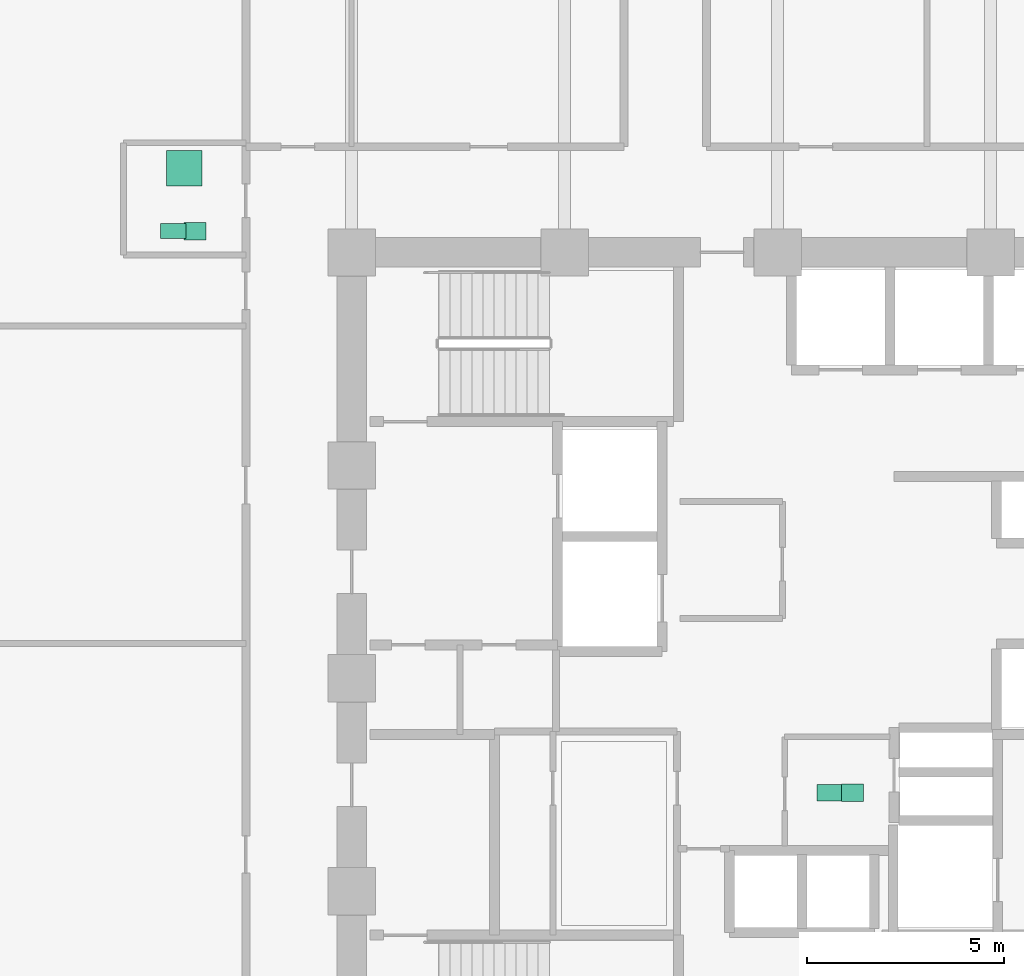
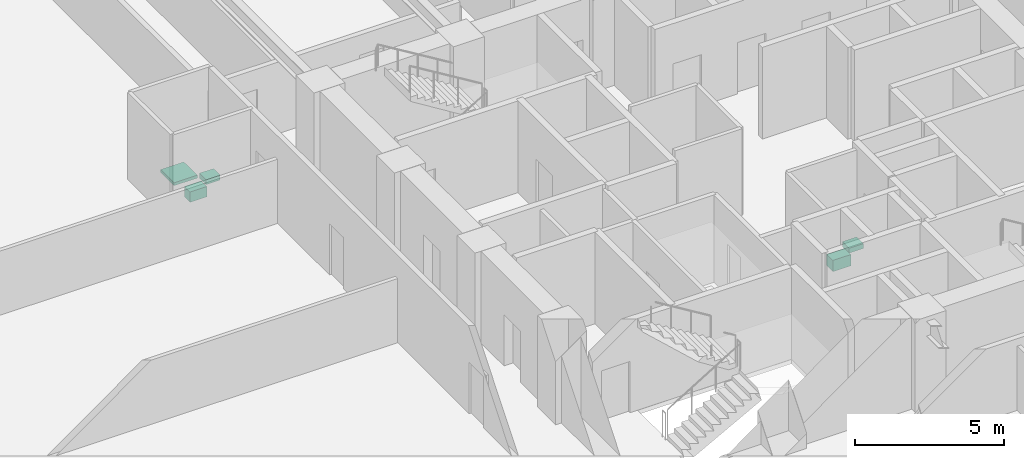
# One storey, part 26 of 26: 5 sanitary terminals.
"""IFC4 building model written with IfcOpenShell, lengths in metres."""

from ifc_helpers import new_model, si_unit, direction, frame, origin, origin_2d, place, context, subcontext, project, spatial, rectangle, extrude, material, type_object, element, save


model = new_model("IFC4")

# Units and contexts
model_context = context("Model", 3, precision=1e-05, world=origin(), true_north=direction((0.0, 1.0)))
body_context = subcontext(model_context, "Body", "Model", "MODEL_VIEW")
ifc_project = project(units=[si_unit("LENGTHUNIT", "METRE"), si_unit("AREAUNIT", "SQUARE_METRE"), si_unit("VOLUMEUNIT", "CUBIC_METRE"), si_unit("PLANEANGLEUNIT", "RADIAN"), si_unit("MASSUNIT", "GRAM", prefix="KILO")], contexts=[model_context])

# Site, building, storey
site_placement = place(None, origin())
site = spatial("IfcSite", under=ifc_project, at=site_placement, CompositionType="ELEMENT")
building_placement = place(site_placement, origin())
building = spatial("IfcBuilding", under=site, at=building_placement, Name="Surkhivell Harbour Commons", CompositionType="ELEMENT")
storey_placement = place(building_placement, frame((0.0, 0.0, 71.25)))
storey = spatial("IfcBuildingStorey", under=building, at=storey_placement, Name="L18", CompositionType="ELEMENT", Elevation=71.25)

# Sanitary terminals
ifc_material_1 = material(Name="Vitreous china washbasin", Category="other")
sanitary_terminal_type_1 = type_object("IfcSanitaryTerminalType", Name="SAN-BSN", PredefinedType="WASHHANDBASIN", material=ifc_material_1)
for number, where, z_axis, x_axis, name in (
    (1, (1.89990234375, -2.89990234375, 0.72021484375), (0.0, 0.0, 1.0), (1.0, 0.0, 0.0), "L18 Core Accessible WC Washbasin"),
    (2, (-14.77001953125, 11.340087890625, 0.72021484375), (0.0, 0.0, 1.0), (1.0, 0.0, 0.0), "L18 West Communal Bathroom WC Washbasin"),
):
    element("IfcSanitaryTerminal", number, at=place(storey_placement, frame(where, z_axis=z_axis, x_axis=x_axis)), inside=storey, type_object=sanitary_terminal_type_1, Name=name, PredefinedType="WASHHANDBASIN", context=body_context, shape_type="SweptSolid", body=[
        extrude(rectangle(XDim=0.550048828125, YDim=0.449951171875, at=origin_2d()), origin(), (0.0, 0.0, 1.0), 0.199951171875),
    ])
ifc_material_2 = material(Name="Glazed porcelain shower tray", Category="other")
sanitary_terminal_type_2 = type_object("IfcSanitaryTerminalType", Name="SAN-SHW", PredefinedType="SHOWER", material=ifc_material_2)
sanitary_terminal_1_placement = place(storey_placement, frame((-15.0400390625, 12.93994140625, 0.0), z_axis=(0.0, 0.0, 1.0), x_axis=(1.0, 0.0, 0.0)))
element("IfcSanitaryTerminal", 3, at=sanitary_terminal_1_placement, inside=storey, type_object=sanitary_terminal_type_2, Name="L18 West Communal Shower Tray", PredefinedType="SHOWER", context=body_context, shape_type="SweptSolid", body=[
    extrude(rectangle(XDim=0.89990234375, YDim=0.89990234375, at=origin_2d()), origin(), (0.0, 0.0, 1.0), 0.1201171875),
])
ifc_material_3 = material(Name="Vitreous china sanitaryware", Category="other")
sanitary_terminal_type_3 = type_object("IfcSanitaryTerminalType", Name="SAN-WC-ACC", PredefinedType="TOILETPAN", material=ifc_material_3)
sanitary_terminal_2_placement = place(storey_placement, frame((1.35009765625, -2.89990234375, 0.169921875), z_axis=(0.0, 0.0, 1.0), x_axis=(1.0, 0.0, 0.0)))
element("IfcSanitaryTerminal", 4, at=sanitary_terminal_2_placement, inside=storey, type_object=sanitary_terminal_type_3, Name="L18 Core Accessible WC", PredefinedType="TOILETPAN", context=body_context, shape_type="SweptSolid", body=[
    extrude(rectangle(XDim=0.699951171875, YDim=0.419921875, at=origin_2d()), origin(), (0.0, 0.0, 1.0), 0.4599609375),
])
sanitary_terminal_type_4 = type_object("IfcSanitaryTerminalType", Name="SAN-WC-STD", PredefinedType="TOILETPAN", material=ifc_material_3)
sanitary_terminal_3_placement = place(storey_placement, frame((-15.320068359375, 11.340087890625, 0.18994140625), z_axis=(0.0, 0.0, 1.0), x_axis=(1.0, 0.0, 0.0)))
element("IfcSanitaryTerminal", 5, at=sanitary_terminal_3_placement, inside=storey, type_object=sanitary_terminal_type_4, Name="L18 West Communal Bathroom WC", PredefinedType="TOILETPAN", context=body_context, shape_type="SweptSolid", body=[
    extrude(rectangle(XDim=0.64990234375, YDim=0.3798828125, at=origin_2d()), origin(), (0.0, 0.0, 1.0), 0.419921875),
])

save(model, "model.ifc")
